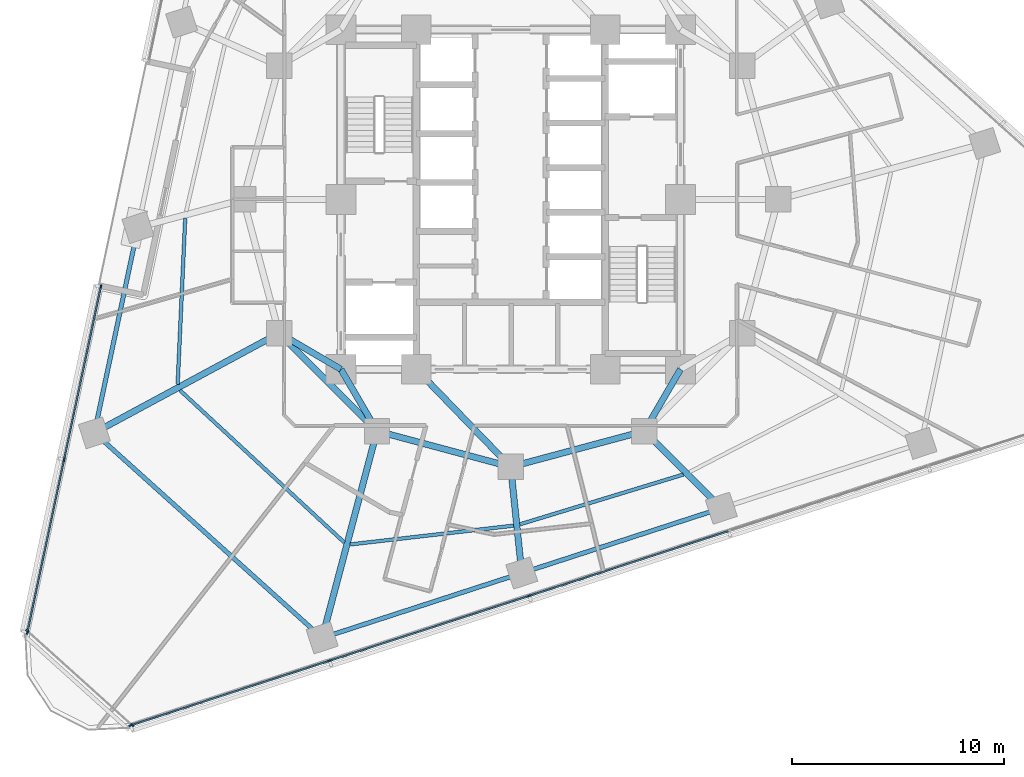
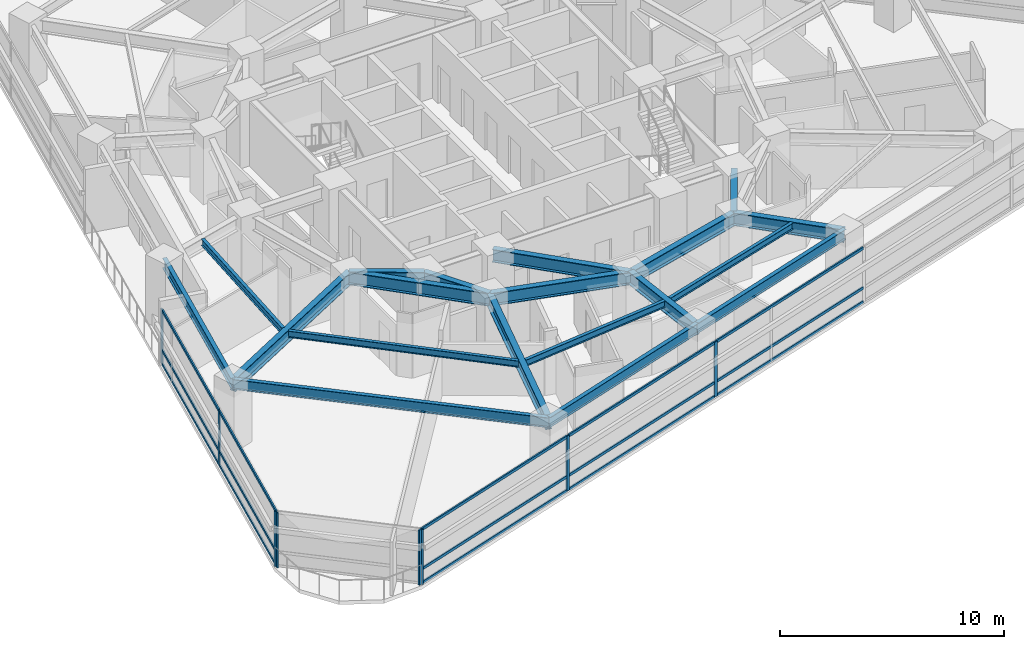
# One storey, part 2 of 14: 23 members, 19 beams, 3 elements without a shape of their own.
"""IFC4 building model written with IfcOpenShell, lengths in metres."""

from ifc_helpers import new_model, si_unit, direction, frame, origin, origin_2d, place, context, subcontext, project, spatial, rectangle, i_section, extrude, material, layer, layer_set, material_profile, profile_set, type_object, element, aggregate, save


model = new_model("IFC4")

# Units and contexts
model_context = context("Model", 3, precision=1e-05, world=origin(), true_north=direction((0.0, 1.0)))
body_context = subcontext(model_context, "Body", "Model", "MODEL_VIEW")
ifc_project = project(units=[si_unit("LENGTHUNIT", "METRE"), si_unit("AREAUNIT", "SQUARE_METRE"), si_unit("VOLUMEUNIT", "CUBIC_METRE"), si_unit("PLANEANGLEUNIT", "RADIAN"), si_unit("MASSUNIT", "GRAM", prefix="KILO")], contexts=[model_context])

# Site, building, storey
site_placement = place(None, origin())
site = spatial("IfcSite", under=ifc_project, at=site_placement, CompositionType="ELEMENT")
building_placement = place(site_placement, origin())
building = spatial("IfcBuilding", under=site, at=building_placement, Name="Terralouvre Media Tower", CompositionType="ELEMENT")
storey_placement = place(building_placement, frame((0.0, 0.0, 112.5)))
storey = spatial("IfcBuildingStorey", under=building, at=storey_placement, Name="L28", CompositionType="ELEMENT", Elevation=112.5)

# Beams
ifc_material_1 = material(Name="Structural steel S355J2", Category="steel")
ifc_material_profile_1 = material_profile(ifc_material_1, i_section(OverallWidth=0.169921875, OverallDepth=0.360107421875, WebThickness=0.008056640625, FlangeThickness=0.0126953125, at=origin_2d()), Name="IPE 360")
ifc_profile_set_1 = profile_set([ifc_material_profile_1], Name="Structural steel S355J2")
beam_type_1 = type_object("IfcBeamType", Name="Composite Floor Joist J-IPE360 (IPE 360)", PredefinedType="JOIST", material=ifc_profile_set_1)
beam_1_placement = place(storey_placement, frame((-15.33544921875, -0.882080078125, 3.320068359375), z_axis=(-0.045464200768, -0.998965968614, 0.0), x_axis=(0.998965968614, -0.045464200768, 0.0)))
element("IfcBeam", 1, at=beam_1_placement, inside=storey, type_object=beam_type_1, Name="L28 Framing Beam JT-L28-01", PredefinedType="JOIST", context=body_context, shape_type="SweptSolid", body=[
    extrude(i_section(OverallWidth=0.169921875, OverallDepth=0.360107421875, WebThickness=0.008056640625, FlangeThickness=0.0126953125, at=origin_2d()), origin(), (0.0, 0.0, 1.0), 7.834716796875),
])
beam_2_placement = place(storey_placement, frame((-15.584716796875, -8.988037109375, 3.320068359375), z_axis=(0.733637623699, -0.679540901707, 0.0), x_axis=(0.679540901707, 0.733637623699, 0.0)))
element("IfcBeam", 2, at=beam_2_placement, inside=storey, type_object=beam_type_1, Name="L28 Framing Beam JT-L28-02", PredefinedType="JOIST", context=body_context, shape_type="SweptSolid", body=[
    extrude(i_section(OverallWidth=0.169921875, OverallDepth=0.360107421875, WebThickness=0.008056640625, FlangeThickness=0.0126953125, at=origin_2d()), origin(), (0.0, 0.0, 1.0), 10.551513671875),
])
beam_3_placement = place(storey_placement, frame((-7.5625, -16.254150390625, 3.320068359375), z_axis=(0.993452319542, 0.114247489235, 0.0), x_axis=(-0.114247489235, 0.993452319542, 0.0)))
element("IfcBeam", 3, at=beam_3_placement, inside=storey, type_object=beam_type_1, Name="L28 Framing Beam JT-L28-03", PredefinedType="JOIST", context=body_context, shape_type="SweptSolid", body=[
    extrude(i_section(OverallWidth=0.169921875, OverallDepth=0.360107421875, WebThickness=0.008056640625, FlangeThickness=0.0126953125, at=origin_2d()), origin(), (0.0, 0.0, 1.0), 7.750732421875),
])
beam_4_placement = place(storey_placement, frame((0.430908203125, -15.307373046875, 3.320068359375), z_axis=(0.95657137257, 0.29149821471, 0.0), x_axis=(-0.29149821471, 0.95657137257, 0.0)))
element("IfcBeam", 4, at=beam_4_placement, inside=storey, type_object=beam_type_1, Name="L28 Framing Beam JT-L28-04", PredefinedType="JOIST", context=body_context, shape_type="SweptSolid", body=[
    extrude(i_section(OverallWidth=0.169921875, OverallDepth=0.360107421875, WebThickness=0.008056640625, FlangeThickness=0.0126953125, at=origin_2d()), origin(), (0.0, 0.0, 1.0), 8.052001953125),
])

# Curtain wall, members
ifc_material_2 = material(Name="Low-iron laminated double glazing with solar-control coating", Category="glass")
ifc_layer_1 = layer(ifc_material_2, 0.1650390625, Name="Lower Media Tower Unitised Curtain Wall CW-02")
ifc_layer_set_1 = layer_set([ifc_layer_1], Name="Low-iron laminated double glazing with solar-control coating")
curtain_wall_type_1 = type_object("IfcCurtainWallType", Name="Lower Media Tower Unitised Curtain Wall CW-02", PredefinedType="NOTDEFINED", material=ifc_layer_set_1)
curtain_wall_1_placement = place(storey_placement, origin())
curtain_wall_1 = element("IfcCurtainWall", 5, at=curtain_wall_1_placement, inside=storey, type_object=curtain_wall_type_1, Name="L28 Facade Curtain Wall F0", PredefinedType="NOTDEFINED")
ifc_material_3 = material(Name="Anodised extruded aluminium 6063-T6", Category="aluminium")
ifc_material_profile_2 = material_profile(ifc_material_3, rectangle(XDim=0.074951171875, YDim=0.14990234375, at=origin_2d()), Name="ALU 75x150")
ifc_profile_set_2 = profile_set([ifc_material_profile_2], Name="Anodised extruded aluminium 6063-T6")
member_type_1 = type_object("IfcMemberType", Name="Curtain-Wall Horizontal Transom TR-150", PredefinedType="USERDEFINED", material=ifc_profile_set_2)
member_1_placement = place(storey_placement, frame((-17.866455078125, -24.765380859375, 0.03759765625), z_axis=(0.951048750541, 0.309040893886, 0.0), x_axis=(-0.309040893886, 0.951048750541, 0.0)))
member_1 = element("IfcMember", 6, at=member_1_placement, type_object=member_type_1, Name="CW-02 transom 1.1", ObjectType="TRANSOM", PredefinedType="USERDEFINED", context=body_context, shape_type="SweptSolid", body=[
    extrude(rectangle(XDim=0.074951171875, YDim=0.14990234375, at=origin_2d()), origin(), (0.0, 0.0, 1.0), 9.775390625),
])
member_2_placement = place(storey_placement, frame((-17.866455078125, -24.765380859375, 0.800048828125), z_axis=(0.951048750541, 0.309040893886, 0.0), x_axis=(-0.309040893886, 0.951048750541, 0.0)))
member_2 = element("IfcMember", 7, at=member_2_placement, type_object=member_type_1, Name="CW-02 transom 1.2", ObjectType="TRANSOM", PredefinedType="USERDEFINED", context=body_context, shape_type="SweptSolid", body=[
    extrude(rectangle(XDim=0.074951171875, YDim=0.14990234375, at=origin_2d()), origin(), (0.0, 0.0, 1.0), 9.775390625),
])
member_3_placement = place(storey_placement, frame((-17.866455078125, -24.765380859375, 2.96240234375), z_axis=(0.951048750541, 0.309040893886, 0.0), x_axis=(-0.309040893886, 0.951048750541, 0.0)))
member_3 = element("IfcMember", 8, at=member_3_placement, type_object=member_type_1, Name="CW-02 transom 1.3", ObjectType="TRANSOM", PredefinedType="USERDEFINED", context=body_context, shape_type="SweptSolid", body=[
    extrude(rectangle(XDim=0.074951171875, YDim=0.14990234375, at=origin_2d()), origin(), (0.0, 0.0, 1.0), 9.775390625),
])
member_4_placement = place(storey_placement, frame((-8.498291015625, -21.72119140625, 0.03759765625), z_axis=(0.951061672682, 0.309001124198, 0.0), x_axis=(-0.309001124198, 0.951061672682, 0.0)))
member_4 = element("IfcMember", 9, at=member_4_placement, type_object=member_type_1, Name="CW-02 transom 2.1", ObjectType="TRANSOM", PredefinedType="USERDEFINED", context=body_context, shape_type="SweptSolid", body=[
    extrude(rectangle(XDim=0.074951171875, YDim=0.14990234375, at=origin_2d()), origin(), (0.0, 0.0, 1.0), 9.81298828125),
])
member_5_placement = place(storey_placement, frame((-8.498291015625, -21.72119140625, 0.800048828125), z_axis=(0.951061672682, 0.309001124198, 0.0), x_axis=(-0.309001124198, 0.951061672682, 0.0)))
member_5 = element("IfcMember", 10, at=member_5_placement, type_object=member_type_1, Name="CW-02 transom 2.2", ObjectType="TRANSOM", PredefinedType="USERDEFINED", context=body_context, shape_type="SweptSolid", body=[
    extrude(rectangle(XDim=0.074951171875, YDim=0.14990234375, at=origin_2d()), origin(), (0.0, 0.0, 1.0), 9.81298828125),
])
member_6_placement = place(storey_placement, frame((-8.498291015625, -21.72119140625, 2.96240234375), z_axis=(0.951061672682, 0.309001124198, 0.0), x_axis=(-0.309001124198, 0.951061672682, 0.0)))
member_6 = element("IfcMember", 11, at=member_6_placement, type_object=member_type_1, Name="CW-02 transom 2.3", ObjectType="TRANSOM", PredefinedType="USERDEFINED", context=body_context, shape_type="SweptSolid", body=[
    extrude(rectangle(XDim=0.074951171875, YDim=0.14990234375, at=origin_2d()), origin(), (0.0, 0.0, 1.0), 9.81298828125),
])
member_7_placement = place(storey_placement, frame((0.90576171875, -18.665771484375, 0.03759765625), z_axis=(0.95105436096, 0.309023627736, 0.0), x_axis=(-0.309023627736, 0.95105436096, 0.0)))
member_7 = element("IfcMember", 12, at=member_7_placement, type_object=member_type_1, Name="CW-02 transom 3.1", ObjectType="TRANSOM", PredefinedType="USERDEFINED", context=body_context, shape_type="SweptSolid", body=[
    extrude(rectangle(XDim=0.074951171875, YDim=0.14990234375, at=origin_2d()), origin(), (0.0, 0.0, 1.0), 9.81298828125),
])
member_8_placement = place(storey_placement, frame((0.90576171875, -18.665771484375, 0.800048828125), z_axis=(0.95105436096, 0.309023627736, 0.0), x_axis=(-0.309023627736, 0.95105436096, 0.0)))
member_8 = element("IfcMember", 13, at=member_8_placement, type_object=member_type_1, Name="CW-02 transom 3.2", ObjectType="TRANSOM", PredefinedType="USERDEFINED", context=body_context, shape_type="SweptSolid", body=[
    extrude(rectangle(XDim=0.074951171875, YDim=0.14990234375, at=origin_2d()), origin(), (0.0, 0.0, 1.0), 9.81298828125),
])
member_9_placement = place(storey_placement, frame((0.90576171875, -18.665771484375, 2.96240234375), z_axis=(0.95105436096, 0.309023627736, 0.0), x_axis=(-0.309023627736, 0.95105436096, 0.0)))
member_9 = element("IfcMember", 14, at=member_9_placement, type_object=member_type_1, Name="CW-02 transom 3.3", ObjectType="TRANSOM", PredefinedType="USERDEFINED", context=body_context, shape_type="SweptSolid", body=[
    extrude(rectangle(XDim=0.074951171875, YDim=0.14990234375, at=origin_2d()), origin(), (0.0, 0.0, 1.0), 9.81298828125),
])

curtain_wall_2_placement = place(storey_placement, origin())
curtain_wall_2 = element("IfcCurtainWall", 15, at=curtain_wall_2_placement, inside=storey, type_object=curtain_wall_type_1, Name="L28 Right Flank Curtain Wall F2", PredefinedType="NOTDEFINED")
member_10_placement = place(storey_placement, frame((-19.31689453125, -4.1494140625, 0.03759765625), z_axis=(-0.207919648543, -0.978145909233, 0.0), x_axis=(0.978145909233, -0.207919648543, 0.0)))
member_10 = element("IfcMember", 16, at=member_10_placement, type_object=member_type_1, Name="CW-02 transom 1.1", ObjectType="TRANSOM", PredefinedType="USERDEFINED", context=body_context, shape_type="SweptSolid", body=[
    extrude(rectangle(XDim=0.074951171875, YDim=0.14990234375, at=origin_2d()), origin(), (0.0, 0.0, 1.0), 8.24755859375),
])
member_11_placement = place(storey_placement, frame((-19.31689453125, -4.1494140625, 0.800048828125), z_axis=(-0.207919648543, -0.978145909233, 0.0), x_axis=(0.978145909233, -0.207919648543, 0.0)))
member_11 = element("IfcMember", 17, at=member_11_placement, type_object=member_type_1, Name="CW-02 transom 1.2", ObjectType="TRANSOM", PredefinedType="USERDEFINED", context=body_context, shape_type="SweptSolid", body=[
    extrude(rectangle(XDim=0.074951171875, YDim=0.14990234375, at=origin_2d()), origin(), (0.0, 0.0, 1.0), 8.24755859375),
])
member_12_placement = place(storey_placement, frame((-19.31689453125, -4.1494140625, 2.96240234375), z_axis=(-0.207919648543, -0.978145909233, 0.0), x_axis=(0.978145909233, -0.207919648543, 0.0)))
member_12 = element("IfcMember", 18, at=member_12_placement, type_object=member_type_1, Name="CW-02 transom 1.3", ObjectType="TRANSOM", PredefinedType="USERDEFINED", context=body_context, shape_type="SweptSolid", body=[
    extrude(rectangle(XDim=0.074951171875, YDim=0.14990234375, at=origin_2d()), origin(), (0.0, 0.0, 1.0), 8.24755859375),
])
member_13_placement = place(storey_placement, frame((-21.04736328125, -12.2900390625, 0.03759765625), z_axis=(-0.207891326647, -0.97815192905, 0.0), x_axis=(0.97815192905, -0.207891326647, 0.0)))
member_13 = element("IfcMember", 19, at=member_13_placement, type_object=member_type_1, Name="CW-02 transom 2.1", ObjectType="TRANSOM", PredefinedType="USERDEFINED", context=body_context, shape_type="SweptSolid", body=[
    extrude(rectangle(XDim=0.074951171875, YDim=0.14990234375, at=origin_2d()), origin(), (0.0, 0.0, 1.0), 8.24755859375),
])
member_14_placement = place(storey_placement, frame((-21.04736328125, -12.2900390625, 0.800048828125), z_axis=(-0.207891326647, -0.97815192905, 0.0), x_axis=(0.97815192905, -0.207891326647, 0.0)))
member_14 = element("IfcMember", 20, at=member_14_placement, type_object=member_type_1, Name="CW-02 transom 2.2", ObjectType="TRANSOM", PredefinedType="USERDEFINED", context=body_context, shape_type="SweptSolid", body=[
    extrude(rectangle(XDim=0.074951171875, YDim=0.14990234375, at=origin_2d()), origin(), (0.0, 0.0, 1.0), 8.24755859375),
])
member_15_placement = place(storey_placement, frame((-21.04736328125, -12.2900390625, 2.96240234375), z_axis=(-0.207891326647, -0.97815192905, 0.0), x_axis=(0.97815192905, -0.207891326647, 0.0)))
member_15 = element("IfcMember", 21, at=member_15_placement, type_object=member_type_1, Name="CW-02 transom 2.3", ObjectType="TRANSOM", PredefinedType="USERDEFINED", context=body_context, shape_type="SweptSolid", body=[
    extrude(rectangle(XDim=0.074951171875, YDim=0.14990234375, at=origin_2d()), origin(), (0.0, 0.0, 1.0), 8.24755859375),
])

# Member
ifc_material_4 = material(Name="Anodised extruded aluminium 6063-T6", Category="aluminium")
ifc_material_profile_3 = material_profile(ifc_material_4, rectangle(XDim=0.074951171875, YDim=0.179931640625, at=origin_2d()), Name="ALU 75x180")
ifc_profile_set_3 = profile_set([ifc_material_profile_3], Name="Anodised extruded aluminium 6063-T6")
member_type_2 = type_object("IfcMemberType", Name="Curtain-Wall Vertical Mullion ML-180", PredefinedType="MULLION", material=ifc_profile_set_3)
member_16_placement = place(storey_placement, frame((-17.90234375, -24.77685546875, 0.0), z_axis=(0.0, 0.0, 1.0), x_axis=(-0.309017015439, 0.951056509451, 0.0)))
member_16 = element("IfcMember", 22, at=member_16_placement, type_object=member_type_2, Name="CW-02 mullion 1", PredefinedType="MULLION", context=body_context, shape_type="SweptSolid", body=[
    extrude(rectangle(XDim=0.074951171875, YDim=0.179931640625, at=origin_2d()), origin(), (0.0, 0.0, 1.0), 3.0),
])

member_17_placement = place(storey_placement, frame((-8.533935546875, -21.73291015625, 0.0), z_axis=(0.0, 0.0, 1.0), x_axis=(-0.309017015439, 0.951056509451, 0.0)))
member_17 = element("IfcMember", 23, at=member_17_placement, type_object=member_type_2, Name="CW-02 mullion 2", PredefinedType="MULLION", context=body_context, shape_type="SweptSolid", body=[
    extrude(rectangle(XDim=0.074951171875, YDim=0.179931640625, at=origin_2d()), origin(), (0.0, 0.0, 1.0), 3.0),
])

member_18_placement = place(storey_placement, frame((0.8701171875, -18.67724609375, 0.0), z_axis=(0.0, 0.0, 1.0), x_axis=(-0.309017015439, 0.951056509451, 0.0)))
member_18 = element("IfcMember", 24, at=member_18_placement, type_object=member_type_2, Name="CW-02 mullion 3", PredefinedType="MULLION", context=body_context, shape_type="SweptSolid", body=[
    extrude(rectangle(XDim=0.074951171875, YDim=0.179931640625, at=origin_2d()), origin(), (0.0, 0.0, 1.0), 3.0),
])

aggregate(curtain_wall_1, [member_16, member_17, member_18, member_1, member_2, member_3, member_4, member_5, member_6, member_7, member_8, member_9])

member_19_placement = place(storey_placement, frame((-19.30908203125, -4.11279296875, 0.0), z_axis=(0.0, 0.0, 1.0), x_axis=(0.978147718341, -0.207911137518, 0.0)))
member_19 = element("IfcMember", 25, at=member_19_placement, type_object=member_type_2, Name="CW-02 mullion 1", PredefinedType="MULLION", context=body_context, shape_type="SweptSolid", body=[
    extrude(rectangle(XDim=0.074951171875, YDim=0.179931640625, at=origin_2d()), origin(), (0.0, 0.0, 1.0), 3.0),
])

member_20_placement = place(storey_placement, frame((-21.03955078125, -12.25341796875, 0.0), z_axis=(0.0, 0.0, 1.0), x_axis=(0.978147718341, -0.207911137518, 0.0)))
member_20 = element("IfcMember", 26, at=member_20_placement, type_object=member_type_2, Name="CW-02 mullion 2", PredefinedType="MULLION", context=body_context, shape_type="SweptSolid", body=[
    extrude(rectangle(XDim=0.074951171875, YDim=0.179931640625, at=origin_2d()), origin(), (0.0, 0.0, 1.0), 3.0),
])

member_21_placement = place(storey_placement, frame((-22.769775390625, -20.39404296875, 0.0), z_axis=(0.0, 0.0, 1.0), x_axis=(0.978147718341, -0.207911137518, 0.0)))
member_21 = element("IfcMember", 27, at=member_21_placement, type_object=member_type_2, Name="CW-02 mullion 3", PredefinedType="MULLION", context=body_context, shape_type="SweptSolid", body=[
    extrude(rectangle(XDim=0.074951171875, YDim=0.179931640625, at=origin_2d()), origin(), (0.0, 0.0, 1.0), 3.0),
])

aggregate(curtain_wall_2, [member_19, member_20, member_21, member_10, member_11, member_12, member_13, member_14, member_15])

# Curtain wall, members
ifc_material_5 = material(Name="Low-iron laminated double glazing with solar-control coating", Category="glass")
ifc_layer_2 = layer(ifc_material_5, 0.1650390625, Name="Rounded Wind-Corner Curved Glazing CW-04")
ifc_layer_set_2 = layer_set([ifc_layer_2], Name="Low-iron laminated double glazing with solar-control coating")
curtain_wall_type_2 = type_object("IfcCurtainWallType", Name="Rounded Wind-Corner Curved Glazing CW-04", PredefinedType="NOTDEFINED", material=ifc_layer_set_2)
curtain_wall_3_placement = place(storey_placement, origin())
curtain_wall_3 = element("IfcCurtainWall", 28, at=curtain_wall_3_placement, inside=storey, type_object=curtain_wall_type_2, Name="L28 Rounded Wind-Corner Curtain Wall C0", PredefinedType="NOTDEFINED")
member_22_placement = place(storey_placement, frame((-22.7734375, -20.326904296875, 0.0), z_axis=(0.0, 0.0, 1.0), x_axis=(0.669130780732, 0.743144668471, 0.0)))
member_22 = element("IfcMember", 29, at=member_22_placement, type_object=member_type_2, Name="CW-04 mullion 1", PredefinedType="MULLION", context=body_context, shape_type="SweptSolid", body=[
    extrude(rectangle(XDim=0.074951171875, YDim=0.179931640625, at=origin_2d()), origin(), (0.0, 0.0, 1.0), 3.0),
])
member_23_placement = place(storey_placement, frame((-17.8349609375, -24.7734375, 0.0), z_axis=(0.0, 0.0, 1.0), x_axis=(0.669130780732, 0.743144668471, 0.0)))
member_23 = element("IfcMember", 30, at=member_23_placement, type_object=member_type_2, Name="CW-04 mullion 2", PredefinedType="MULLION", context=body_context, shape_type="SweptSolid", body=[
    extrude(rectangle(XDim=0.074951171875, YDim=0.179931640625, at=origin_2d()), origin(), (0.0, 0.0, 1.0), 3.0),
])
aggregate(curtain_wall_3, [member_22, member_23])

# Beams
ifc_material_6 = material(Name="Structural steel S355J2", Category="steel")
ifc_material_profile_4 = material_profile(ifc_material_6, i_section(OverallWidth=0.2099609375, OverallDepth=0.550048828125, WebThickness=0.010986328125, FlangeThickness=0.01708984375, at=origin_2d()), Name="IPE 550")
ifc_profile_set_4 = profile_set([ifc_material_profile_4], Name="Structural steel S355J2")
beam_type_2 = type_object("IfcBeamType", Name="Perimeter Spandrel Beam SPB-550 (IPE 550)", PredefinedType="SPANDREL", material=ifc_profile_set_4)
beam_5_placement = place(storey_placement, frame((-17.560791015625, -1.32177734375, 3.22509765625), z_axis=(-0.207896554112, -0.978150818017, 0.0), x_axis=(0.978150818017, -0.207896554112, 0.0)))
element("IfcBeam", 31, at=beam_5_placement, inside=storey, type_object=beam_type_2, Name="L28 Framing Beam BM-L28-PR01", PredefinedType="SPANDREL", context=body_context, shape_type="SweptSolid", body=[
    extrude(i_section(OverallWidth=0.2099609375, OverallDepth=0.550048828125, WebThickness=0.010986328125, FlangeThickness=0.01708984375, at=origin_2d()), origin(), (0.0, 0.0, 1.0), 9.887939453125),
])
beam_6_placement = place(storey_placement, frame((-19.616455078125, -10.99365234375, 3.22509765625), z_axis=(0.743139474617, -0.669136549044, 0.0), x_axis=(0.669136549044, 0.743139474617, 0.0)))
element("IfcBeam", 32, at=beam_6_placement, inside=storey, type_object=beam_type_2, Name="L28 Framing Beam BM-L28-PR02", PredefinedType="SPANDREL", context=body_context, shape_type="SweptSolid", body=[
    extrude(i_section(OverallWidth=0.2099609375, OverallDepth=0.550048828125, WebThickness=0.010986328125, FlangeThickness=0.01708984375, at=origin_2d()), origin(), (0.0, 0.0, 1.0), 14.443359375),
])
for number, where, z_axis, x_axis, name in (
    (33, (-8.883056640625, -20.658203125, 3.22509765625), (0.95105348149, 0.309026334389, 0.0), (-0.309026334389, 0.95105348149, 0.0), "L28 Framing Beam BM-L28-PR03"),
    (34, (0.52099609375, -17.6025390625, 3.22509765625), (0.951060737836, 0.309004001506, 0.0), (-0.309004001506, 0.951060737836, 0.0), "L28 Framing Beam BM-L28-PR04"),
):
    element("IfcBeam", number, at=place(storey_placement, frame(where, z_axis=z_axis, x_axis=x_axis)), inside=storey, type_object=beam_type_2, Name=name, PredefinedType="SPANDREL", context=body_context, shape_type="SweptSolid", body=[
        extrude(i_section(OverallWidth=0.2099609375, OverallDepth=0.550048828125, WebThickness=0.010986328125, FlangeThickness=0.01708984375, at=origin_2d()), origin(), (0.0, 0.0, 1.0), 9.887939453125),
    ])
ifc_material_7 = material(Name="Structural steel S460M", Category="steel")
ifc_material_profile_5 = material_profile(ifc_material_7, i_section(OverallWidth=0.300048828125, OverallDepth=0.699951171875, WebThickness=0.01708984375, FlangeThickness=0.031982421875, at=origin_2d()), Name="HEB 700")
ifc_profile_set_5 = profile_set([ifc_material_profile_5], Name="Structural steel S460M")
beam_type_3 = type_object("IfcBeamType", Name="Primary Floor Girder B-HEB700 (HEB 700)", PredefinedType="BEAM", material=ifc_profile_set_5)
beam_7_placement = place(storey_placement, frame((-10.911865234375, -6.300048828125, 3.14990234375), z_axis=(0.707106781187, -0.707106781187, 0.0), x_axis=(0.707106781187, 0.707106781187, 0.0)))
element("IfcBeam", 35, at=beam_7_placement, inside=storey, type_object=beam_type_3, Name="L28 Framing Beam BM-L28-MR01", PredefinedType="BEAM", context=body_context, shape_type="SweptSolid", body=[
    extrude(i_section(OverallWidth=0.300048828125, OverallDepth=0.699951171875, WebThickness=0.01708984375, FlangeThickness=0.031982421875, at=origin_2d()), origin(), (0.0, 0.0, 1.0), 6.52197265625),
])
for number, where, z_axis, x_axis, name in (
    (36, (-6.300048828125, -10.911865234375, 3.14990234375), (0.965920481897, -0.258838989821, 0.0), (0.258838989821, 0.965920481897, 0.0), "L28 Framing Beam BM-L28-MR02"),
    (37, (0.0, -12.60009765625, 3.14990234375), (0.965920481897, 0.258838989821, 0.0), (-0.258838989821, 0.965920481897, 0.0), "L28 Framing Beam BM-L28-MR03"),
):
    element("IfcBeam", number, at=place(storey_placement, frame(where, z_axis=z_axis, x_axis=x_axis)), inside=storey, type_object=beam_type_3, Name=name, PredefinedType="BEAM", context=body_context, shape_type="SweptSolid", body=[
        extrude(i_section(OverallWidth=0.300048828125, OverallDepth=0.699951171875, WebThickness=0.01708984375, FlangeThickness=0.031982421875, at=origin_2d()), origin(), (0.0, 0.0, 1.0), 6.522216796875),
    ])
for number, where, z_axis, x_axis, name in (
    (38, (-8.0, -8.0, 3.14990234375), (-0.863602894532, 0.504172629717, 0.0), (-0.504172629717, -0.863602894532, 0.0), "L28 Framing Beam BM-L28-CM01"),
    (39, (-8.0, -8.0, 3.14990234375), (0.504172629717, -0.863602894532, 0.0), (0.863602894532, 0.504172629717, 0.0), "L28 Framing Beam BM-L28-CM02"),
):
    element("IfcBeam", number, at=place(storey_placement, frame(where, z_axis=z_axis, x_axis=x_axis)), inside=storey, type_object=beam_type_3, Name=name, PredefinedType="BEAM", context=body_context, shape_type="SweptSolid", body=[
        extrude(i_section(OverallWidth=0.300048828125, OverallDepth=0.699951171875, WebThickness=0.01708984375, FlangeThickness=0.031982421875, at=origin_2d()), origin(), (0.0, 0.0, 1.0), 3.371826171875),
    ])
beam_8_placement = place(storey_placement, frame((-4.449951171875, -8.0, 3.14990234375), z_axis=(0.695279715726, -0.718739255155, 0.0), x_axis=(0.718739255155, 0.695279715726, 0.0)))
element("IfcBeam", 40, at=beam_8_placement, inside=storey, type_object=beam_type_3, Name="L28 Framing Beam BM-L28-CM03", PredefinedType="BEAM", context=body_context, shape_type="SweptSolid", body=[
    extrude(i_section(OverallWidth=0.300048828125, OverallDepth=0.699951171875, WebThickness=0.01708984375, FlangeThickness=0.031982421875, at=origin_2d()), origin(), (0.0, 0.0, 1.0), 6.400146484375),
])
beam_9_placement = place(storey_placement, frame((8.0, -8.0, 3.14990234375), z_axis=(-0.504172629717, -0.863602894532, 0.0), x_axis=(0.863602894532, -0.504172629717, 0.0)))
element("IfcBeam", 41, at=beam_9_placement, inside=storey, type_object=beam_type_3, Name="L28 Framing Beam BM-L28-CM04", PredefinedType="BEAM", context=body_context, shape_type="SweptSolid", body=[
    extrude(i_section(OverallWidth=0.300048828125, OverallDepth=0.699951171875, WebThickness=0.01708984375, FlangeThickness=0.031982421875, at=origin_2d()), origin(), (0.0, 0.0, 1.0), 3.371826171875),
])
beam_10_placement = place(storey_placement, frame((-10.911865234375, -6.300048828125, 3.14990234375), z_axis=(-0.880195882447, -0.47461058619, 0.0), x_axis=(0.47461058619, -0.880195882447, 0.0)))
element("IfcBeam", 42, at=beam_10_placement, inside=storey, type_object=beam_type_3, Name="L28 Framing Beam BM-L28-RD02", PredefinedType="BEAM", context=body_context, shape_type="SweptSolid", body=[
    extrude(i_section(OverallWidth=0.300048828125, OverallDepth=0.699951171875, WebThickness=0.01708984375, FlangeThickness=0.031982421875, at=origin_2d()), origin(), (0.0, 0.0, 1.0), 9.889404296875),
])
beam_11_placement = place(storey_placement, frame((-6.300048828125, -10.911865234375, 3.14990234375), z_axis=(-0.25617939255, -0.966629256144, 0.0), x_axis=(0.966629256144, -0.25617939255, 0.0)))
element("IfcBeam", 43, at=beam_11_placement, inside=storey, type_object=beam_type_3, Name="L28 Framing Beam BM-L28-RD03", PredefinedType="BEAM", context=body_context, shape_type="SweptSolid", body=[
    extrude(i_section(OverallWidth=0.300048828125, OverallDepth=0.699951171875, WebThickness=0.01708984375, FlangeThickness=0.031982421875, at=origin_2d()), origin(), (0.0, 0.0, 1.0), 10.082763671875),
])
beam_12_placement = place(storey_placement, frame((0.0, -12.60009765625, 3.14990234375), z_axis=(0.103588076486, -0.994620284536, 0.0), x_axis=(0.994620284536, 0.103588076486, 0.0)))
element("IfcBeam", 44, at=beam_12_placement, inside=storey, type_object=beam_type_3, Name="L28 Framing Beam BM-L28-RD04", PredefinedType="BEAM", context=body_context, shape_type="SweptSolid", body=[
    extrude(i_section(OverallWidth=0.300048828125, OverallDepth=0.699951171875, WebThickness=0.01708984375, FlangeThickness=0.031982421875, at=origin_2d()), origin(), (0.0, 0.0, 1.0), 5.029541015625),
])
beam_13_placement = place(storey_placement, frame((6.300048828125, -10.911865234375, 3.14990234375), z_axis=(0.706107405732, -0.708104746185, 0.0), x_axis=(0.708104746185, 0.706107405732, 0.0)))
element("IfcBeam", 45, at=beam_13_placement, inside=storey, type_object=beam_type_3, Name="L28 Framing Beam BM-L28-RD05", PredefinedType="BEAM", context=body_context, shape_type="SweptSolid", body=[
    extrude(i_section(OverallWidth=0.300048828125, OverallDepth=0.699951171875, WebThickness=0.01708984375, FlangeThickness=0.031982421875, at=origin_2d()), origin(), (0.0, 0.0, 1.0), 5.1337890625),
])

save(model, "model.ifc")
